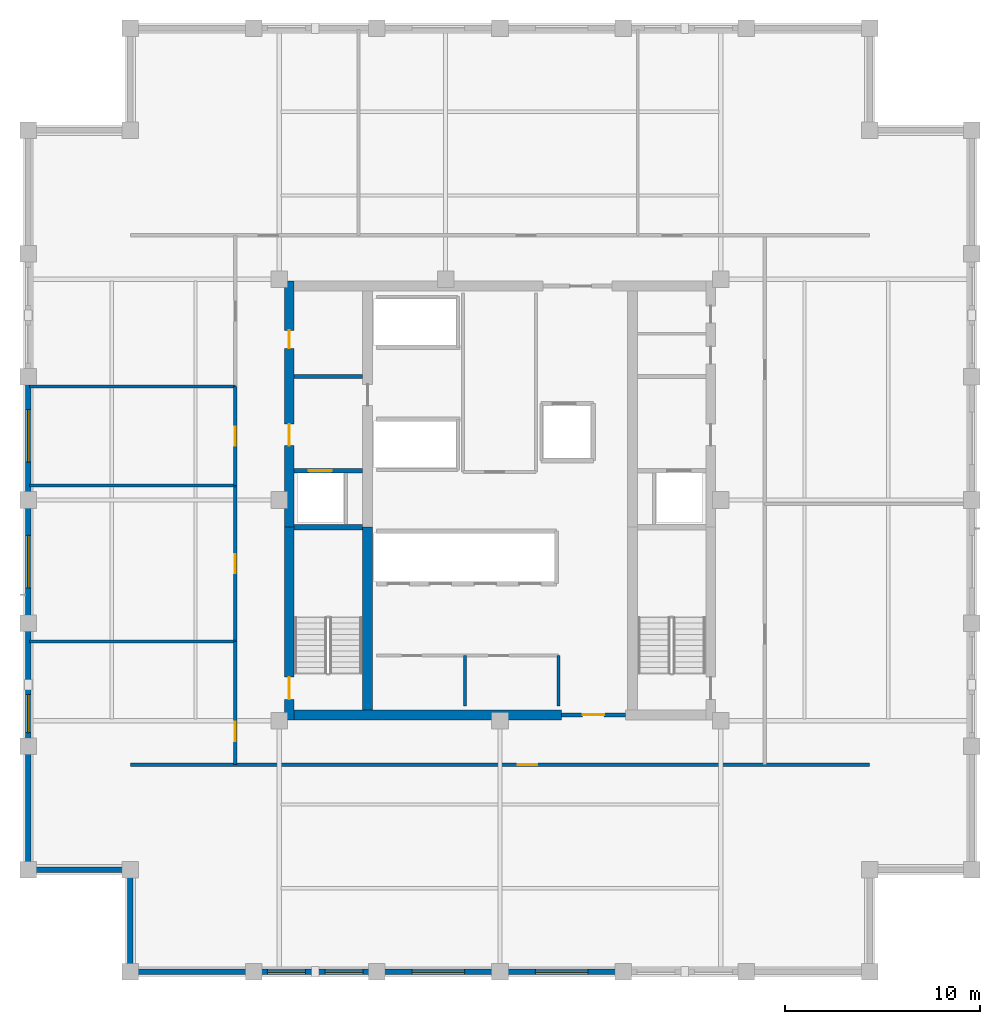
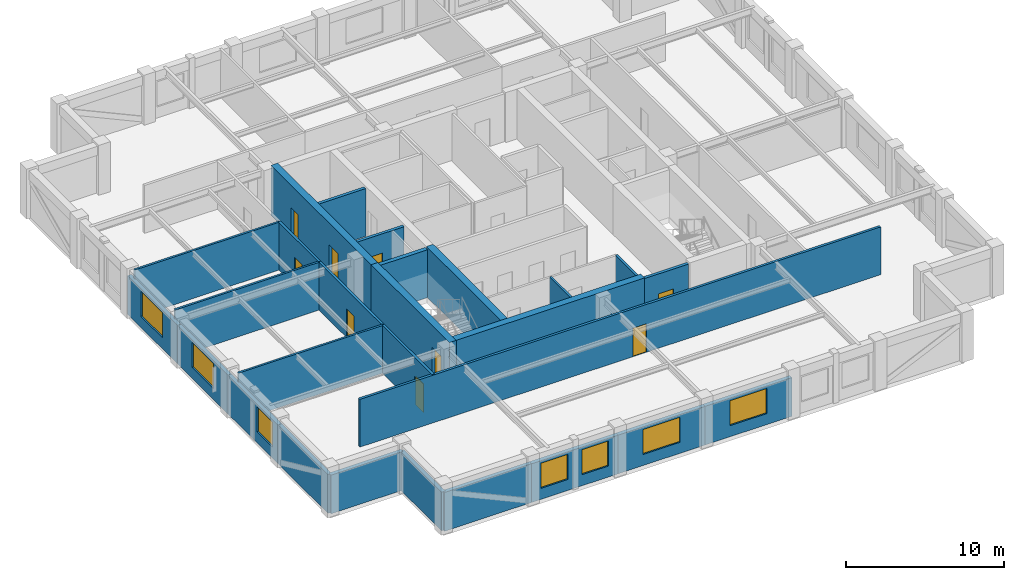
# One storey, part 5 of 9: 27 walls, 9 doors, 7 windows, 16 openings.
"""IFC4 building model written with IfcOpenShell, lengths in metres."""

from ifc_helpers import new_model, si_unit, direction, frame, frame_2d, origin, place, context, subcontext, project, spatial, rectangle, extrude, material, layer, layer_set, type_object, element, fill, save


model = new_model("IFC4")

# Units and contexts
model_context = context("Model", 3, precision=1e-05, world=origin(), true_north=direction((0.0, 1.0)))
body_context = subcontext(model_context, "Body", "Model", "MODEL_VIEW")
ifc_project = project(units=[si_unit("LENGTHUNIT", "METRE"), si_unit("AREAUNIT", "SQUARE_METRE"), si_unit("VOLUMEUNIT", "CUBIC_METRE"), si_unit("PLANEANGLEUNIT", "RADIAN"), si_unit("MASSUNIT", "GRAM", prefix="KILO")], contexts=[model_context])

# Site, building, storey
site_placement = place(None, origin())
site = spatial("IfcSite", under=ifc_project, at=site_placement, CompositionType="ELEMENT")
building_placement = place(site_placement, origin())
building = spatial("IfcBuilding", under=site, at=building_placement, Name="Nhamokura Convention Tower", CompositionType="ELEMENT")
storey_placement = place(building_placement, frame((0.0, 0.0, 190.75)))
storey = spatial("IfcBuildingStorey", under=building, at=storey_placement, Name="L46", CompositionType="ELEMENT", Elevation=190.75)

# Wall
ifc_material_1 = material(Name="Bronze-pigmented precast concrete C45/55", Category="concrete")
ifc_layer_1 = layer(ifc_material_1, 0.280029296875)
ifc_layer_set_1 = layer_set([ifc_layer_1], Name="BronzePrecastSpandrel_280")
wall_type_1 = type_object("IfcWallType", Name="BronzePrecastSpandrel_280", PredefinedType="USERDEFINED", material=ifc_layer_set_1)
wall_1_placement = place(storey_placement, frame((19.333251953125, 7.75, 0.0), z_axis=(0.0, 0.0, 1.0), x_axis=(-1.0, 0.0, 0.0)))
element("IfcWall", 1, at=wall_1_placement, inside=storey, type_object=wall_type_1, Name="L46 Braced-Bay Precast Wall SOUTH 0", ObjectType="SPANDREL_WALL", PredefinedType="USERDEFINED", context=body_context, shape_type="SweptSolid", body=[
    extrude(rectangle(XDim=6.333251953125, YDim=0.280029296875, at=frame_2d((3.16650390625, 0.0))), origin(), (0.0, 0.0, 1.0), 2.985107421875),
])

# Wall, openings, windows
wall_2_placement = place(storey_placement, frame((25.666748046875, 7.75, 0.0), z_axis=(0.0, 0.0, 1.0), x_axis=(-1.0, 0.0, 0.0)))
wall_2 = element("IfcWall", 2, at=wall_2_placement, inside=storey, type_object=wall_type_1, Name="L46 Masonry-Frame Wall SOUTH 1", ObjectType="SPANDREL_WALL", PredefinedType="USERDEFINED", context=body_context, shape_type="SweptSolid", body=[
    extrude(rectangle(XDim=6.33349609375, YDim=0.280029296875, at=frame_2d((3.166748046875, 0.0))), origin(), (0.0, 0.0, 1.0), 2.985107421875),
])
opening_1_placement = place(wall_2_placement, frame((0.708251953125, 0.0, 0.85009765625)))
opening_1 = element("IfcOpeningElement", 3, at=opening_1_placement, cuts=wall_2, Name="Opening W-08", PredefinedType="OPENING", context=body_context, shape_type="SweptSolid", body=[
    extrude(rectangle(XDim=1.949951171875, YDim=1.93505859375, at=frame_2d((0.97509765625, 0.967529296875))), frame((0.0, 0.14990234375, 0.0), z_axis=(0.0, -1.0, 0.0), x_axis=(1.0, 0.0, 0.0)), (0.0, 0.0, 1.0), 0.300048828125),
])
opening_2_placement = place(wall_2_placement, frame((3.675048828125, 0.0, 0.85009765625)))
opening_2 = element("IfcOpeningElement", 4, at=opening_2_placement, cuts=wall_2, Name="Opening W-08", PredefinedType="OPENING", context=body_context, shape_type="SweptSolid", body=[
    extrude(rectangle(XDim=1.949951171875, YDim=1.93505859375, at=frame_2d((0.97509765625, 0.967529296875))), frame((0.0, 0.14990234375, 0.0), z_axis=(0.0, -1.0, 0.0), x_axis=(1.0, 0.0, 0.0)), (0.0, 0.0, 1.0), 0.300048828125),
])
ifc_material_2 = material(Name="Solar-control bronze low-E double glass", Category="glass")
window_type_1 = type_object("IfcWindowType", Name="OfficeModuleWindow_Z3_1950", PartitioningType="SINGLE_PANEL", PredefinedType="WINDOW", material=ifc_material_2)
window_1_placement = place(opening_1_placement, origin())
window_1 = element("IfcWindow", 5, at=window_1_placement, inside=storey, type_object=window_type_1, Name="L46 Facade Window SOUTH 1-1", OverallHeight=1.93505859375, OverallWidth=1.949951171875, PartitioningType="SINGLE_PANEL", PredefinedType="WINDOW", context=body_context, shape_type="SweptSolid", body=[
    extrude(rectangle(XDim=1.949951171875, YDim=1.93505859375, at=frame_2d((0.97509765625, 0.967529296875))), frame((0.0, 0.030029296875, 0.0), z_axis=(0.0, -1.0, 0.0), x_axis=(1.0, 0.0, 0.0)), (0.0, 0.0, 1.0), 0.06005859375),
])
fill(opening_1, window_1)
window_2_placement = place(opening_2_placement, origin())
window_2 = element("IfcWindow", 6, at=window_2_placement, inside=storey, type_object=window_type_1, Name="L46 Facade Window SOUTH 1-2", OverallHeight=1.93505859375, OverallWidth=1.949951171875, PartitioningType="SINGLE_PANEL", PredefinedType="WINDOW", context=body_context, shape_type="SweptSolid", body=[
    extrude(rectangle(XDim=1.949951171875, YDim=1.93505859375, at=frame_2d((0.97509765625, 0.967529296875))), frame((0.0, 0.030029296875, 0.0), z_axis=(0.0, -1.0, 0.0), x_axis=(1.0, 0.0, 0.0)), (0.0, 0.0, 1.0), 0.06005859375),
])
fill(opening_2, window_2)

# Wall, opening, window
wall_3_placement = place(storey_placement, frame((32.0, 7.75, 0.0), z_axis=(0.0, 0.0, 1.0), x_axis=(-1.0, 0.0, 0.0)))
wall_3 = element("IfcWall", 7, at=wall_3_placement, inside=storey, type_object=wall_type_1, Name="L46 Masonry-Frame Wall SOUTH 2", ObjectType="SPANDREL_WALL", PredefinedType="USERDEFINED", context=body_context, shape_type="SweptSolid", body=[
    extrude(rectangle(XDim=6.333251953125, YDim=0.280029296875, at=frame_2d((3.16650390625, 0.0))), origin(), (0.0, 0.0, 1.0), 2.985107421875),
])
opening_3_placement = place(wall_3_placement, frame((1.816650390625, 0.0, 0.85009765625)))
opening_3 = element("IfcOpeningElement", 8, at=opening_3_placement, cuts=wall_3, Name="Opening W-07", PredefinedType="OPENING", context=body_context, shape_type="SweptSolid", body=[
    extrude(rectangle(XDim=2.699951171875, YDim=1.93505859375, at=frame_2d((1.35009765625, 0.967529296875))), frame((0.0, 0.14990234375, 0.0), z_axis=(0.0, -1.0, 0.0), x_axis=(1.0, 0.0, 0.0)), (0.0, 0.0, 1.0), 0.300048828125),
])
ifc_material_3 = material(Name="Solar-control bronze low-E double glass", Category="glass")
window_type_2 = type_object("IfcWindowType", Name="OfficeModuleWindow_Z3_2700", PartitioningType="DOUBLE_PANEL_VERTICAL", PredefinedType="WINDOW", material=ifc_material_3)
window_3_placement = place(opening_3_placement, origin())
window_3 = element("IfcWindow", 9, at=window_3_placement, inside=storey, type_object=window_type_2, Name="L46 Facade Window SOUTH 2", OverallHeight=1.93505859375, OverallWidth=2.699951171875, PartitioningType="SINGLE_PANEL", PredefinedType="WINDOW", context=body_context, shape_type="SweptSolid", body=[
    extrude(rectangle(XDim=2.699951171875, YDim=1.93505859375, at=frame_2d((1.35009765625, 0.967529296875))), frame((0.0, 0.030029296875, 0.0), z_axis=(0.0, -1.0, 0.0), x_axis=(1.0, 0.0, 0.0)), (0.0, 0.0, 1.0), 0.06005859375),
])
fill(opening_3, window_3)

wall_4_placement = place(storey_placement, frame((38.333251953125, 7.75, 0.0), z_axis=(0.0, 0.0, 1.0), x_axis=(-1.0, 0.0, 0.0)))
wall_4 = element("IfcWall", 10, at=wall_4_placement, inside=storey, type_object=wall_type_1, Name="L46 Masonry-Frame Wall SOUTH 3", ObjectType="SPANDREL_WALL", PredefinedType="USERDEFINED", context=body_context, shape_type="SweptSolid", body=[
    extrude(rectangle(XDim=6.333251953125, YDim=0.280029296875, at=frame_2d((3.16650390625, 0.0))), origin(), (0.0, 0.0, 1.0), 2.985107421875),
])
opening_4_placement = place(wall_4_placement, frame((1.816650390625, 0.0, 0.85009765625)))
opening_4 = element("IfcOpeningElement", 11, at=opening_4_placement, cuts=wall_4, Name="Opening W-07", PredefinedType="OPENING", context=body_context, shape_type="SweptSolid", body=[
    extrude(rectangle(XDim=2.699951171875, YDim=1.93505859375, at=frame_2d((1.35009765625, 0.967529296875))), frame((0.0, 0.14990234375, 0.0), z_axis=(0.0, -1.0, 0.0), x_axis=(1.0, 0.0, 0.0)), (0.0, 0.0, 1.0), 0.300048828125),
])
window_4_placement = place(opening_4_placement, origin())
window_4 = element("IfcWindow", 12, at=window_4_placement, inside=storey, type_object=window_type_2, Name="L46 Facade Window SOUTH 3", OverallHeight=1.93505859375, OverallWidth=2.699951171875, PartitioningType="SINGLE_PANEL", PredefinedType="WINDOW", context=body_context, shape_type="SweptSolid", body=[
    extrude(rectangle(XDim=2.699951171875, YDim=1.93505859375, at=frame_2d((1.35009765625, 0.967529296875))), frame((0.0, 0.030029296875, 0.0), z_axis=(0.0, -1.0, 0.0), x_axis=(1.0, 0.0, 0.0)), (0.0, 0.0, 1.0), 0.06005859375),
])
fill(opening_4, window_4)

# Wall
wall_5_placement = place(storey_placement, frame((7.75, 13.0, 0.0), z_axis=(0.0, 0.0, 1.0), x_axis=(0.0, 1.0, 0.0)))
element("IfcWall", 13, at=wall_5_placement, inside=storey, type_object=wall_type_1, Name="L46 Braced-Bay Precast Wall WEST 0", ObjectType="SPANDREL_WALL", PredefinedType="USERDEFINED", context=body_context, shape_type="SweptSolid", body=[
    extrude(rectangle(XDim=6.333251953125, YDim=0.280029296875, at=frame_2d((3.16650390625, 0.0))), origin(), (0.0, 0.0, 1.0), 2.985107421875),
])

# Wall, opening, window
wall_6_placement = place(storey_placement, frame((7.75, 19.333251953125, 0.0), z_axis=(0.0, 0.0, 1.0), x_axis=(0.0, 1.0, 0.0)))
wall_6 = element("IfcWall", 14, at=wall_6_placement, inside=storey, type_object=wall_type_1, Name="L46 Masonry-Frame Wall WEST 1", ObjectType="SPANDREL_WALL", PredefinedType="USERDEFINED", context=body_context, shape_type="SweptSolid", body=[
    extrude(rectangle(XDim=6.33349609375, YDim=0.280029296875, at=frame_2d((3.166748046875, 0.0))), origin(), (0.0, 0.0, 1.0), 2.985107421875),
])
opening_5_placement = place(wall_6_placement, frame((0.708251953125, 0.0, 0.85009765625)))
opening_5 = element("IfcOpeningElement", 15, at=opening_5_placement, cuts=wall_6, Name="Opening W-08", PredefinedType="OPENING", context=body_context, shape_type="SweptSolid", body=[
    extrude(rectangle(XDim=1.949951171875, YDim=1.93505859375, at=frame_2d((0.97509765625, 0.967529296875))), frame((0.0, 0.14990234375, 0.0), z_axis=(0.0, -1.0, 0.0), x_axis=(1.0, 0.0, 0.0)), (0.0, 0.0, 1.0), 0.300048828125),
])
window_5_placement = place(opening_5_placement, origin())
window_5 = element("IfcWindow", 16, at=window_5_placement, inside=storey, type_object=window_type_1, Name="L46 Facade Window WEST 1-1", OverallHeight=1.93505859375, OverallWidth=1.949951171875, PartitioningType="SINGLE_PANEL", PredefinedType="WINDOW", context=body_context, shape_type="SweptSolid", body=[
    extrude(rectangle(XDim=1.949951171875, YDim=1.93505859375, at=frame_2d((0.97509765625, 0.967529296875))), frame((0.0, 0.030029296875, 0.0), z_axis=(0.0, -1.0, 0.0), x_axis=(1.0, 0.0, 0.0)), (0.0, 0.0, 1.0), 0.06005859375),
])
fill(opening_5, window_5)

wall_7_placement = place(storey_placement, frame((7.75, 25.666748046875, 0.0), z_axis=(0.0, 0.0, 1.0), x_axis=(0.0, 1.0, 0.0)))
wall_7 = element("IfcWall", 17, at=wall_7_placement, inside=storey, type_object=wall_type_1, Name="L46 Masonry-Frame Wall WEST 2", ObjectType="SPANDREL_WALL", PredefinedType="USERDEFINED", context=body_context, shape_type="SweptSolid", body=[
    extrude(rectangle(XDim=6.333251953125, YDim=0.280029296875, at=frame_2d((3.16650390625, 0.0))), origin(), (0.0, 0.0, 1.0), 2.985107421875),
])
opening_6_placement = place(wall_7_placement, frame((1.816650390625, 0.0, 0.85009765625)))
opening_6 = element("IfcOpeningElement", 18, at=opening_6_placement, cuts=wall_7, Name="Opening W-07", PredefinedType="OPENING", context=body_context, shape_type="SweptSolid", body=[
    extrude(rectangle(XDim=2.699951171875, YDim=1.93505859375, at=frame_2d((1.35009765625, 0.967529296875))), frame((0.0, 0.14990234375, 0.0), z_axis=(0.0, -1.0, 0.0), x_axis=(1.0, 0.0, 0.0)), (0.0, 0.0, 1.0), 0.300048828125),
])
window_6_placement = place(opening_6_placement, origin())
window_6 = element("IfcWindow", 19, at=window_6_placement, inside=storey, type_object=window_type_2, Name="L46 Facade Window WEST 2", OverallHeight=1.93505859375, OverallWidth=2.699951171875, PartitioningType="SINGLE_PANEL", PredefinedType="WINDOW", context=body_context, shape_type="SweptSolid", body=[
    extrude(rectangle(XDim=2.699951171875, YDim=1.93505859375, at=frame_2d((1.35009765625, 0.967529296875))), frame((0.0, 0.030029296875, 0.0), z_axis=(0.0, -1.0, 0.0), x_axis=(1.0, 0.0, 0.0)), (0.0, 0.0, 1.0), 0.06005859375),
])
fill(opening_6, window_6)

wall_8_placement = place(storey_placement, frame((7.75, 32.0, 0.0), z_axis=(0.0, 0.0, 1.0), x_axis=(0.0, 1.0, 0.0)))
wall_8 = element("IfcWall", 20, at=wall_8_placement, inside=storey, type_object=wall_type_1, Name="L46 Masonry-Frame Wall WEST 3", ObjectType="SPANDREL_WALL", PredefinedType="USERDEFINED", context=body_context, shape_type="SweptSolid", body=[
    extrude(rectangle(XDim=6.333251953125, YDim=0.280029296875, at=frame_2d((3.16650390625, 0.0))), origin(), (0.0, 0.0, 1.0), 2.985107421875),
])
opening_7_placement = place(wall_8_placement, frame((1.941650390625, 0.0, 0.85009765625)))
opening_7 = element("IfcOpeningElement", 21, at=opening_7_placement, cuts=wall_8, Name="Opening W-07", PredefinedType="OPENING", context=body_context, shape_type="SweptSolid", body=[
    extrude(rectangle(XDim=2.699951171875, YDim=1.93505859375, at=frame_2d((1.35009765625, 0.967529296875))), frame((0.0, 0.14990234375, 0.0), z_axis=(0.0, -1.0, 0.0), x_axis=(1.0, 0.0, 0.0)), (0.0, 0.0, 1.0), 0.300048828125),
])
window_7_placement = place(opening_7_placement, origin())
window_7 = element("IfcWindow", 22, at=window_7_placement, inside=storey, type_object=window_type_2, Name="L46 Facade Window WEST 3", OverallHeight=1.93505859375, OverallWidth=2.699951171875, PartitioningType="SINGLE_PANEL", PredefinedType="WINDOW", context=body_context, shape_type="SweptSolid", body=[
    extrude(rectangle(XDim=2.699951171875, YDim=1.93505859375, at=frame_2d((1.35009765625, 0.967529296875))), frame((0.0, 0.030029296875, 0.0), z_axis=(0.0, -1.0, 0.0), x_axis=(1.0, 0.0, 0.0)), (0.0, 0.0, 1.0), 0.06005859375),
])
fill(opening_7, window_7)

# Walls
for number, where, z_axis, x_axis, name in (
    (23, (13.0, 7.75, 0.0), (0.0, 0.0, 1.0), (0.0, 1.0, 0.0), "L46 Notched Corner Wall SW1"),
    (24, (13.0, 13.0, 0.0), (0.0, 0.0, 1.0), (-1.0, 0.0, 0.0), "L46 Notched Corner Wall SW2"),
):
    element("IfcWall", number, at=place(storey_placement, frame(where, z_axis=z_axis, x_axis=x_axis)), inside=storey, type_object=wall_type_1, Name=name, ObjectType="SPANDREL_WALL", PredefinedType="USERDEFINED", context=body_context, shape_type="SweptSolid", body=[
        extrude(rectangle(XDim=5.25, YDim=0.280029296875, at=frame_2d((2.625, 0.0))), origin(), (0.0, 0.0, 1.0), 2.985107421875),
    ])

# Wall, opening, door
ifc_material_4 = material(Name="Concrete C60/75", Category="concrete")
ifc_layer_2 = layer(ifc_material_4, 0.5)
ifc_layer_set_2 = layer_set([ifc_layer_2], Name="CoreShearWall_500")
wall_type_2 = type_object("IfcWallType", Name="CoreShearWall_500", PredefinedType="SHEAR", material=ifc_layer_set_2)
wall_9_placement = place(storey_placement, frame((21.159912109375, 20.699951171875, 0.0), z_axis=(0.0, 0.0, 1.0), x_axis=(0.0, 1.0, 0.0)))
wall_9 = element("IfcWall", 25, at=wall_9_placement, inside=storey, type_object=wall_type_2, Name="L46 Core Shear Wall CW-WS", PredefinedType="SHEAR", context=body_context, shape_type="SweptSolid", body=[
    extrude(rectangle(XDim=9.900146484375, YDim=0.5, at=frame_2d((4.9501953125, 0.0))), origin(), (0.0, 0.0, 1.0), 3.85009765625),
])
opening_8_placement = place(wall_9_placement, frame((1.050048828125, 0.0, 0.0)))
opening_8 = element("IfcOpeningElement", 26, at=opening_8_placement, cuts=wall_9, Name="Opening D-04", PredefinedType="OPENING", context=body_context, shape_type="SweptSolid", body=[
    extrude(rectangle(XDim=1.14990234375, YDim=2.14990234375, at=frame_2d((0.574951171875, 1.074951171875))), frame((0.0, 0.260009765625, 0.0), z_axis=(0.0, -1.0, 0.0), x_axis=(1.0, 0.0, 0.0)), (0.0, 0.0, 1.0), 0.52001953125),
])
ifc_material_5 = material(Name="Fire-rated steel door", Category="steel")
door_type_1 = type_object("IfcDoorType", Name="StairSmokeDoor_1150", OperationType="NOTDEFINED", PredefinedType="DOOR", material=ifc_material_5)
door_1_placement = place(opening_8_placement, origin())
door_1 = element("IfcDoor", 27, at=door_1_placement, inside=storey, type_object=door_type_1, Name="L46 Core Door INT-L46-D-ST01", OperationType="SINGLE_SWING_LEFT", OverallHeight=2.14990234375, OverallWidth=1.14990234375, PredefinedType="DOOR", context=body_context, shape_type="SweptSolid", body=[
    extrude(rectangle(XDim=1.14990234375, YDim=2.14990234375, at=frame_2d((0.574951171875, 1.074951171875))), frame((0.0, 0.02490234375, 0.0), z_axis=(0.0, -1.0, 0.0), x_axis=(1.0, 0.0, 0.0)), (0.0, 0.0, 1.0), 0.050048828125),
])
fill(opening_8, door_1)

# Wall, openings, doors
wall_10_placement = place(storey_placement, frame((21.159912109375, 30.60009765625, 0.0), z_axis=(0.0, 0.0, 1.0), x_axis=(0.0, 1.0, 0.0)))
wall_10 = element("IfcWall", 28, at=wall_10_placement, inside=storey, type_object=wall_type_2, Name="L46 Core Shear Wall CW-WN", PredefinedType="SHEAR", context=body_context, shape_type="SweptSolid", body=[
    extrude(rectangle(XDim=12.64990234375, YDim=0.5, at=frame_2d((6.324951171875, 0.0))), origin(), (0.0, 0.0, 1.0), 3.85009765625),
])
opening_9_placement = place(wall_10_placement, frame((4.199951171875, 0.0, 0.0)))
opening_9 = element("IfcOpeningElement", 29, at=opening_9_placement, cuts=wall_10, Name="Opening D-05", PredefinedType="OPENING", context=body_context, shape_type="SweptSolid", body=[
    extrude(rectangle(XDim=1.10009765625, YDim=2.14990234375, at=frame_2d((0.550048828125, 1.074951171875))), frame((0.0, 0.260009765625, 0.0), z_axis=(0.0, -1.0, 0.0), x_axis=(1.0, 0.0, 0.0)), (0.0, 0.0, 1.0), 0.52001953125),
])
opening_10_placement = place(wall_10_placement, frame((9.199951171875, 0.0, 0.0)))
opening_10 = element("IfcOpeningElement", 30, at=opening_10_placement, cuts=wall_10, Name="Opening D-10", PredefinedType="OPENING", context=body_context, shape_type="SweptSolid", body=[
    extrude(rectangle(XDim=0.919921875, YDim=2.10009765625, at=frame_2d((0.4599609375, 1.050048828125))), frame((0.0, 0.260009765625, 0.0), z_axis=(0.0, -1.0, 0.0), x_axis=(1.0, 0.0, 0.0)), (0.0, 0.0, 1.0), 0.52001953125),
])
ifc_material_6 = material(Name="Solid oak hardwood", Category="wood")
door_type_2 = type_object("IfcDoorType", Name="AccessibleWCDoor_920", OperationType="NOTDEFINED", PredefinedType="DOOR", material=ifc_material_6)
door_2_placement = place(opening_10_placement, origin())
door_2 = element("IfcDoor", 31, at=door_2_placement, inside=storey, type_object=door_type_2, Name="L46 Core Door INT-L46-D-AWC", OperationType="SINGLE_SWING_LEFT", OverallHeight=2.10009765625, OverallWidth=0.919921875, PredefinedType="DOOR", context=body_context, shape_type="SweptSolid", body=[
    extrude(rectangle(XDim=0.919921875, YDim=2.10009765625, at=frame_2d((0.4599609375, 1.050048828125))), frame((0.0, 0.02490234375, 0.0), z_axis=(0.0, -1.0, 0.0), x_axis=(1.0, 0.0, 0.0)), (0.0, 0.0, 1.0), 0.050048828125),
])
fill(opening_10, door_2)
ifc_material_7 = material(Name="Fire-rated steel door", Category="steel")
door_type_3 = type_object("IfcDoorType", Name="FireLobbyDoor_1100", OperationType="NOTDEFINED", PredefinedType="DOOR", material=ifc_material_7)
door_3_placement = place(opening_9_placement, origin())
door_3 = element("IfcDoor", 32, at=door_3_placement, inside=storey, type_object=door_type_3, Name="L46 Core Door INT-L46-D-FFLW", OperationType="SINGLE_SWING_RIGHT", OverallHeight=2.14990234375, OverallWidth=1.10009765625, PredefinedType="DOOR", context=body_context, shape_type="SweptSolid", body=[
    extrude(rectangle(XDim=1.10009765625, YDim=2.14990234375, at=frame_2d((0.550048828125, 1.074951171875))), frame((0.0, 0.02490234375, 0.0), z_axis=(0.0, -1.0, 0.0), x_axis=(1.0, 0.0, 0.0)), (0.0, 0.0, 1.0), 0.050048828125),
])
fill(opening_9, door_3)

# Walls
wall_11_placement = place(storey_placement, frame((21.409912109375, 20.949951171875, 0.0), z_axis=(0.0, 0.0, 1.0), x_axis=(1.0, 0.0, 0.0)))
element("IfcWall", 33, at=wall_11_placement, inside=storey, type_object=wall_type_2, Name="L46 Core Shear Wall CW-S1", PredefinedType="SHEAR", context=body_context, shape_type="SweptSolid", body=[
    extrude(rectangle(XDim=13.739990234375, YDim=0.5, at=frame_2d((6.8701171875, 0.0))), origin(), (0.0, 0.0, 1.0), 3.85009765625),
])
wall_12_placement = place(storey_placement, frame((25.18994140625, 21.199951171875, 0.0), z_axis=(0.0, 0.0, 1.0), x_axis=(0.0, 1.0, 0.0)))
element("IfcWall", 34, at=wall_12_placement, inside=storey, type_object=wall_type_2, Name="L46 Core Shear Wall CW-IWS", PredefinedType="SHEAR", context=body_context, shape_type="SweptSolid", body=[
    extrude(rectangle(XDim=9.400146484375, YDim=0.5, at=frame_2d((4.7001953125, 0.0))), origin(), (0.0, 0.0, 1.0), 3.85009765625),
])

# Wall, opening, door
ifc_material_8 = material(Name="Fire-rated gypsum and masonry partition", Category="masonry")
ifc_layer_3 = layer(ifc_material_8, 0.179931640625)
ifc_layer_set_3 = layer_set([ifc_layer_3], Name="CorridorRatedWall_180")
wall_type_3 = type_object("IfcWallType", Name="CorridorRatedWall_180", PredefinedType="STANDARD", material=ifc_layer_set_3)
wall_13_placement = place(storey_placement, frame((13.0, 18.39990234375, 0.0), z_axis=(0.0, 0.0, 1.0), x_axis=(1.0, 0.0, 0.0)))
wall_13 = element("IfcWall", 35, at=wall_13_placement, inside=storey, type_object=wall_type_3, Name="L46 Wall INT-L46-CW-S00", PredefinedType="STANDARD", context=body_context, shape_type="SweptSolid", body=[
    extrude(rectangle(XDim=38.0, YDim=0.179931640625, at=frame_2d((19.0, 0.0))), origin(), (0.0, 0.0, 1.0), 3.68505859375),
])
opening_11_placement = place(wall_13_placement, frame((19.925048828125, 0.0, 0.0)))
opening_11 = element("IfcOpeningElement", 36, at=opening_11_placement, cuts=wall_13, Name="Opening D-08", PredefinedType="OPENING", context=body_context, shape_type="SweptSolid", body=[
    extrude(rectangle(XDim=0.97998046875, YDim=2.199951171875, at=frame_2d((0.489990234375, 1.10009765625))), frame((0.0, 0.099853515625, 0.0), z_axis=(0.0, -1.0, 0.0), x_axis=(1.0, 0.0, 0.0)), (0.0, 0.0, 1.0), 0.199951171875),
])
ifc_material_9 = material(Name="Solid oak hardwood", Category="wood")
door_type_4 = type_object("IfcDoorType", Name="OfficeEntryDoor_980", OperationType="NOTDEFINED", PredefinedType="DOOR", material=ifc_material_9)
door_4_placement = place(opening_11_placement, origin())
door_4 = element("IfcDoor", 37, at=door_4_placement, inside=storey, type_object=door_type_4, Name="L46 Open Plan Office S01 Door", OperationType="SINGLE_SWING_LEFT", OverallHeight=2.199951171875, OverallWidth=0.97998046875, PredefinedType="DOOR", context=body_context, shape_type="SweptSolid", body=[
    extrude(rectangle(XDim=0.97998046875, YDim=2.199951171875, at=frame_2d((0.489990234375, 1.10009765625))), frame((0.0, 0.02490234375, 0.0), z_axis=(0.0, -1.0, 0.0), x_axis=(1.0, 0.0, 0.0)), (0.0, 0.0, 1.0), 0.050048828125),
])
fill(opening_11, door_4)

wall_14_placement = place(storey_placement, frame((18.39990234375, 18.39990234375, 0.0), z_axis=(0.0, 0.0, 1.0), x_axis=(0.0, 1.0, 0.0)))
wall_14 = element("IfcWall", 38, at=wall_14_placement, inside=storey, type_object=wall_type_3, Name="L46 Wall INT-L46-CW-W00", PredefinedType="STANDARD", context=body_context, shape_type="SweptSolid", body=[
    extrude(rectangle(XDim=6.31689453125, YDim=0.179931640625, at=frame_2d((3.158447265625, 0.0))), origin(), (0.0, 0.0, 1.0), 3.68505859375),
])
opening_12_placement = place(wall_14_placement, frame((1.208251953125, 0.0, 0.0)))
opening_12 = element("IfcOpeningElement", 39, at=opening_12_placement, cuts=wall_14, Name="Opening D-08", PredefinedType="OPENING", context=body_context, shape_type="SweptSolid", body=[
    extrude(rectangle(XDim=0.97998046875, YDim=2.199951171875, at=frame_2d((0.489990234375, 1.10009765625))), frame((0.0, 0.099853515625, 0.0), z_axis=(0.0, -1.0, 0.0), x_axis=(1.0, 0.0, 0.0)), (0.0, 0.0, 1.0), 0.199951171875),
])
door_5_placement = place(opening_12_placement, origin())
door_5 = element("IfcDoor", 40, at=door_5_placement, inside=storey, type_object=door_type_4, Name="L46 Private Office W01 Door", OperationType="SINGLE_SWING_LEFT", OverallHeight=2.199951171875, OverallWidth=0.97998046875, PredefinedType="DOOR", context=body_context, shape_type="SweptSolid", body=[
    extrude(rectangle(XDim=0.97998046875, YDim=2.199951171875, at=frame_2d((0.489990234375, 1.10009765625))), frame((0.0, 0.02490234375, 0.0), z_axis=(0.0, -1.0, 0.0), x_axis=(1.0, 0.0, 0.0)), (0.0, 0.0, 1.0), 0.050048828125),
])
fill(opening_12, door_5)

wall_15_placement = place(storey_placement, frame((18.39990234375, 24.716796875, 0.0), z_axis=(0.0, 0.0, 1.0), x_axis=(0.0, 1.0, 0.0)))
wall_15 = element("IfcWall", 41, at=wall_15_placement, inside=storey, type_object=wall_type_3, Name="L46 Wall INT-L46-CW-W01", PredefinedType="STANDARD", context=body_context, shape_type="SweptSolid", body=[
    extrude(rectangle(XDim=8.033203125, YDim=0.179931640625, at=frame_2d((4.0166015625, 0.0))), origin(), (0.0, 0.0, 1.0), 3.68505859375),
])
opening_13_placement = place(wall_15_placement, frame((3.5166015625, 0.0, 0.0)))
opening_13 = element("IfcOpeningElement", 42, at=opening_13_placement, cuts=wall_15, Name="Opening D-08", PredefinedType="OPENING", context=body_context, shape_type="SweptSolid", body=[
    extrude(rectangle(XDim=0.97998046875, YDim=2.199951171875, at=frame_2d((0.489990234375, 1.10009765625))), frame((0.0, 0.099853515625, 0.0), z_axis=(0.0, -1.0, 0.0), x_axis=(1.0, 0.0, 0.0)), (0.0, 0.0, 1.0), 0.199951171875),
])
door_6_placement = place(opening_13_placement, origin())
door_6 = element("IfcDoor", 43, at=door_6_placement, inside=storey, type_object=door_type_4, Name="L46 Meeting Room W02 Door", OperationType="SINGLE_SWING_RIGHT", OverallHeight=2.199951171875, OverallWidth=0.97998046875, PredefinedType="DOOR", context=body_context, shape_type="SweptSolid", body=[
    extrude(rectangle(XDim=0.97998046875, YDim=2.199951171875, at=frame_2d((0.489990234375, 1.10009765625))), frame((0.0, 0.02490234375, 0.0), z_axis=(0.0, -1.0, 0.0), x_axis=(1.0, 0.0, 0.0)), (0.0, 0.0, 1.0), 0.050048828125),
])
fill(opening_13, door_6)

wall_16_placement = place(storey_placement, frame((18.39990234375, 32.75, 0.0), z_axis=(0.0, 0.0, 1.0), x_axis=(0.0, 1.0, 0.0)))
wall_16 = element("IfcWall", 44, at=wall_16_placement, inside=storey, type_object=wall_type_3, Name="L46 Wall INT-L46-CW-W02", PredefinedType="STANDARD", context=body_context, shape_type="SweptSolid", body=[
    extrude(rectangle(XDim=5.083251953125, YDim=0.179931640625, at=frame_2d((2.54150390625, 0.0))), origin(), (0.0, 0.0, 1.0), 3.68505859375),
])
opening_14_placement = place(wall_16_placement, frame((2.041748046875, 0.0, 0.0)))
opening_14 = element("IfcOpeningElement", 45, at=opening_14_placement, cuts=wall_16, Name="Opening D-08", PredefinedType="OPENING", context=body_context, shape_type="SweptSolid", body=[
    extrude(rectangle(XDim=0.97998046875, YDim=2.199951171875, at=frame_2d((0.489990234375, 1.10009765625))), frame((0.0, 0.099853515625, 0.0), z_axis=(0.0, -1.0, 0.0), x_axis=(1.0, 0.0, 0.0)), (0.0, 0.0, 1.0), 0.199951171875),
])
door_7_placement = place(opening_14_placement, origin())
door_7 = element("IfcDoor", 46, at=door_7_placement, inside=storey, type_object=door_type_4, Name="L46 Private Office W03 Door", OperationType="SINGLE_SWING_LEFT", OverallHeight=2.199951171875, OverallWidth=0.97998046875, PredefinedType="DOOR", context=body_context, shape_type="SweptSolid", body=[
    extrude(rectangle(XDim=0.97998046875, YDim=2.199951171875, at=frame_2d((0.489990234375, 1.10009765625))), frame((0.0, 0.02490234375, 0.0), z_axis=(0.0, -1.0, 0.0), x_axis=(1.0, 0.0, 0.0)), (0.0, 0.0, 1.0), 0.050048828125),
])
fill(opening_14, door_7)

ifc_material_10 = material(Name="Autoclaved concrete blockwork", Category="masonry")
ifc_layer_4 = layer(ifc_material_10, 0.219970703125)
ifc_layer_set_4 = layer_set([ifc_layer_4], Name="FireLobbyWall_220")
wall_type_4 = type_object("IfcWallType", Name="FireLobbyWall_220", PredefinedType="STANDARD", material=ifc_layer_set_4)
wall_17_placement = place(storey_placement, frame((21.409912109375, 33.5, 0.0), z_axis=(0.0, 0.0, 1.0), x_axis=(1.0, 0.0, 0.0)))
wall_17 = element("IfcWall", 47, at=wall_17_placement, inside=storey, type_object=wall_type_4, Name="L46 Wall INT-L46-FFW-S", PredefinedType="STANDARD", context=body_context, shape_type="SweptSolid", body=[
    extrude(rectangle(XDim=3.530029296875, YDim=0.219970703125, at=frame_2d((1.76513671875, 0.0))), origin(), (0.0, 0.0, 1.0), 3.68505859375),
])
opening_15_placement = place(wall_17_placement, frame((0.75, 0.0, 0.0)))
opening_15 = element("IfcOpeningElement", 48, at=opening_15_placement, cuts=wall_17, Name="Opening LD-02", PredefinedType="OPENING", context=body_context, shape_type="SweptSolid", body=[
    extrude(rectangle(XDim=1.199951171875, YDim=2.199951171875, at=frame_2d((0.60009765625, 1.10009765625))), frame((0.0, 0.119873046875, 0.0), z_axis=(0.0, -1.0, 0.0), x_axis=(1.0, 0.0, 0.0)), (0.0, 0.0, 1.0), 0.239990234375),
])
ifc_material_11 = material(Name="Anodised bronze stainless steel", Category="steel")
door_type_5 = type_object("IfcDoorType", Name="LiftLandingDoor_FireService", OperationType="DOUBLE_DOOR_SLIDING", PredefinedType="DOOR", material=ifc_material_11)
door_8_placement = place(opening_15_placement, origin())
door_8 = element("IfcDoor", 49, at=door_8_placement, inside=storey, type_object=door_type_5, Name="L46 Firefighting Lift LF-01 Door", OperationType="DOUBLE_DOOR_SLIDING", OverallHeight=2.199951171875, OverallWidth=1.199951171875, PredefinedType="DOOR", context=body_context, shape_type="SweptSolid", body=[
    extrude(rectangle(XDim=1.199951171875, YDim=2.199951171875, at=frame_2d((0.60009765625, 1.10009765625))), frame((0.0, 0.02490234375, 0.0), z_axis=(0.0, -1.0, 0.0), x_axis=(1.0, 0.0, 0.0)), (0.0, 0.0, 1.0), 0.050048828125),
])
fill(opening_15, door_8)

# Wall
wall_18_placement = place(storey_placement, frame((21.409912109375, 38.35009765625, 0.0), z_axis=(0.0, 0.0, 1.0), x_axis=(1.0, 0.0, 0.0)))
element("IfcWall", 50, at=wall_18_placement, inside=storey, type_object=wall_type_4, Name="L46 Wall INT-L46-FFW-N", PredefinedType="STANDARD", context=body_context, shape_type="SweptSolid", body=[
    extrude(rectangle(XDim=3.530029296875, YDim=0.219970703125, at=frame_2d((1.76513671875, 0.0))), origin(), (0.0, 0.0, 1.0), 3.68505859375),
])

# Wall, opening, door
wall_19_placement = place(storey_placement, frame((35.14990234375, 20.949951171875, 0.0), z_axis=(0.0, 0.0, 1.0), x_axis=(1.0, 0.0, 0.0)))
wall_19 = element("IfcWall", 51, at=wall_19_placement, inside=storey, type_object=wall_type_4, Name="L46 Wall INT-L46-SPORT-S", PredefinedType="STANDARD", context=body_context, shape_type="SweptSolid", body=[
    extrude(rectangle(XDim=3.300048828125, YDim=0.219970703125, at=frame_2d((1.64990234375, 0.0))), origin(), (0.0, 0.0, 1.0), 3.68505859375),
])
opening_16_placement = place(wall_19_placement, frame((1.10009765625, 0.0, 0.0)))
opening_16 = element("IfcOpeningElement", 52, at=opening_16_placement, cuts=wall_19, Name="Opening D-05", PredefinedType="OPENING", context=body_context, shape_type="SweptSolid", body=[
    extrude(rectangle(XDim=1.10009765625, YDim=2.14990234375, at=frame_2d((0.550048828125, 1.074951171875))), frame((0.0, 0.119873046875, 0.0), z_axis=(0.0, -1.0, 0.0), x_axis=(1.0, 0.0, 0.0)), (0.0, 0.0, 1.0), 0.239990234375),
])
door_9_placement = place(opening_16_placement, origin())
door_9 = element("IfcDoor", 53, at=door_9_placement, inside=storey, type_object=door_type_3, Name="L46 South Core Lobby Portal Door", OperationType="SINGLE_SWING_LEFT", OverallHeight=2.14990234375, OverallWidth=1.10009765625, PredefinedType="DOOR", context=body_context, shape_type="SweptSolid", body=[
    extrude(rectangle(XDim=1.10009765625, YDim=2.14990234375, at=frame_2d((0.550048828125, 1.074951171875))), frame((0.0, 0.02490234375, 0.0), z_axis=(0.0, -1.0, 0.0), x_axis=(1.0, 0.0, 0.0)), (0.0, 0.0, 1.0), 0.050048828125),
])
fill(opening_16, door_9)

# Walls
ifc_material_12 = material(Name="Acoustic gypsum stud partition", Category="masonry")
ifc_layer_5 = layer(ifc_material_12, 0.14990234375)
ifc_layer_set_5 = layer_set([ifc_layer_5], Name="InteriorPartition_150")
wall_type_5 = type_object("IfcWallType", Name="InteriorPartition_150", PredefinedType="STANDARD", material=ifc_layer_set_5)
for number, where, z_axis, x_axis, name in (
    (54, (30.199951171875, 21.39990234375, 0.0), (0.0, 0.0, 1.0), (0.0, 1.0, 0.0), "L46 Wall INT-L46-B1R-M"),
    (55, (35.0, 21.39990234375, 0.0), (0.0, 0.0, 1.0), (0.0, 1.0, 0.0), "L46 Wall INT-L46-B1R-E"),
):
    element("IfcWall", number, at=place(storey_placement, frame(where, z_axis=z_axis, x_axis=x_axis)), inside=storey, type_object=wall_type_5, Name=name, PredefinedType="STANDARD", context=body_context, shape_type="SweptSolid", body=[
        extrude(rectangle(XDim=2.60009765625, YDim=0.14990234375, at=frame_2d((1.300048828125, 0.0))), origin(), (0.0, 0.0, 1.0), 3.68505859375),
    ])
for number, where, z_axis, x_axis, name in (
    (56, (7.81005859375, 24.716796875, 0.0), (0.0, 0.0, 1.0), (1.0, 0.0, 0.0), "L46 Wall INT-L46-RW-W01"),
    (57, (7.81005859375, 32.75, 0.0), (0.0, 0.0, 1.0), (1.0, 0.0, 0.0), "L46 Wall INT-L46-RW-W02"),
    (58, (7.81005859375, 37.833251953125, 0.0), (0.0, 0.0, 1.0), (1.0, 0.0, 0.0), "L46 Wall INT-L46-RW-W03"),
):
    element("IfcWall", number, at=place(storey_placement, frame(where, z_axis=z_axis, x_axis=x_axis)), inside=storey, type_object=wall_type_5, Name=name, PredefinedType="STANDARD", context=body_context, shape_type="SweptSolid", body=[
        extrude(rectangle(XDim=10.58984375, YDim=0.14990234375, at=frame_2d((5.294921875, 0.0))), origin(), (0.0, 0.0, 1.0), 3.68505859375),
    ])
ifc_material_13 = material(Name="Concrete C50/60", Category="concrete")
ifc_layer_6 = layer(ifc_material_13, 0.300048828125)
ifc_layer_set_6 = layer_set([ifc_layer_6], Name="ShaftEnclosureWall_300")
wall_type_6 = type_object("IfcWallType", Name="ShaftEnclosureWall_300", PredefinedType="SHEAR", material=ifc_layer_set_6)
wall_20_placement = place(storey_placement, frame((21.409912109375, 30.60009765625, 0.0), z_axis=(0.0, 0.0, 1.0), x_axis=(1.0, 0.0, 0.0)))
element("IfcWall", 59, at=wall_20_placement, inside=storey, type_object=wall_type_6, Name="L46 Wall INT-L46-ST01-N", PredefinedType="SHEAR", context=body_context, shape_type="SweptSolid", body=[
    extrude(rectangle(XDim=3.530029296875, YDim=0.300048828125, at=frame_2d((1.76513671875, 0.0))), origin(), (0.0, 0.0, 1.0), 3.68505859375),
])

save(model, "model.ifc")
